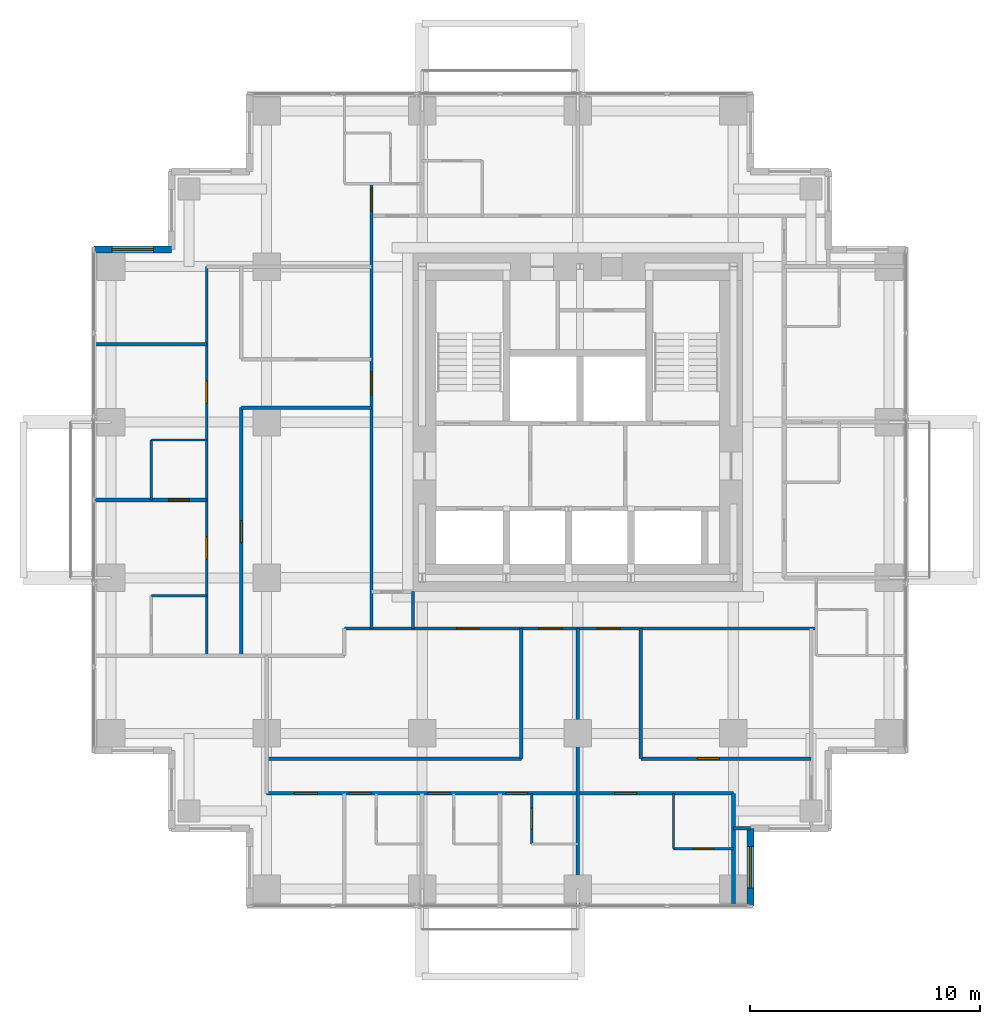
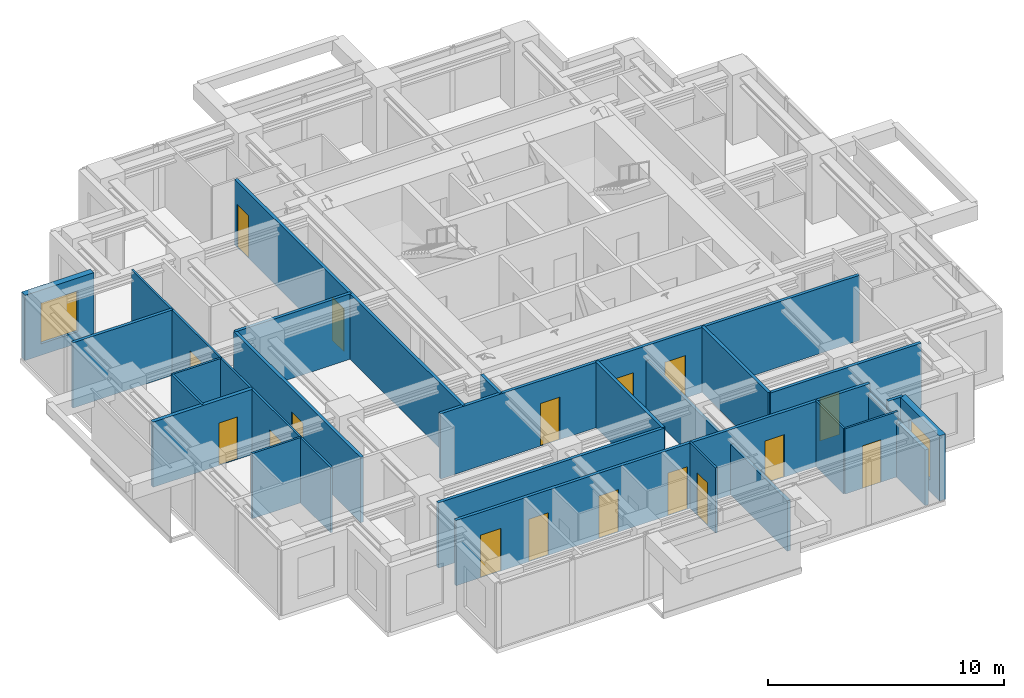
# One storey, part 6 of 10: 24 walls, 17 doors, 2 windows, 19 openings.
"""IFC4 building model written with IfcOpenShell, lengths in metres."""

from ifc_helpers import new_model, si_unit, direction, frame, frame_2d, origin, place, context, subcontext, project, spatial, rectangle, extrude, material, layer, layer_set, type_object, element, fill, save


model = new_model("IFC4")

# Units and contexts
model_context = context("Model", 3, precision=1e-05, world=origin(), true_north=direction((0.0, 1.0)))
body_context = subcontext(model_context, "Body", "Model", "MODEL_VIEW")
ifc_project = project(units=[si_unit("LENGTHUNIT", "METRE"), si_unit("AREAUNIT", "SQUARE_METRE"), si_unit("VOLUMEUNIT", "CUBIC_METRE"), si_unit("PLANEANGLEUNIT", "RADIAN"), si_unit("MASSUNIT", "GRAM", prefix="KILO")], contexts=[model_context])

# Site, building, storey
site_placement = place(None, origin())
site = spatial("IfcSite", under=ifc_project, at=site_placement, CompositionType="ELEMENT")
building_placement = place(site_placement, origin())
building = spatial("IfcBuilding", under=site, at=building_placement, Name="Nyansa Garden Tower", CompositionType="ELEMENT")
storey_placement = place(building_placement, frame((0.0, 0.0, 174.60009765625)))
storey = spatial("IfcBuildingStorey", under=building, at=storey_placement, Name="L47", CompositionType="ELEMENT", Elevation=174.60009765625)

# Wall, opening, door
ifc_material_1 = material(Name="Dense blockwork, plastered both sides, 55 dB", Category="masonry")
ifc_layer_1 = layer(ifc_material_1, 0.175048828125)
ifc_layer_set_1 = layer_set([ifc_layer_1], Name="Acoustic party wall PW175")
wall_type_1 = type_object("IfcWallType", Name="Acoustic party wall PW175", PredefinedType="PARTITIONING", material=ifc_layer_set_1)
wall_1_placement = place(storey_placement, frame((-0.73388671875, 16.875, 0.0), z_axis=(0.0, 0.0, 1.0), x_axis=(1.0, 0.0, 0.0)))
wall_1 = element("IfcWall", 1, at=wall_1_placement, inside=storey, type_object=wall_type_1, Name="Party wall", PredefinedType="PARTITIONING", context=body_context, shape_type="SweptSolid", body=[
    extrude(rectangle(XDim=4.8837890625, YDim=0.175048828125, at=frame_2d((2.44189453125, 0.0))), origin(), (0.0, 0.0, 1.0), 3.375),
])
opening_1_placement = place(wall_1_placement, frame((3.23388671875, 0.0, 0.0)))
opening_1 = element("IfcOpeningElement", 2, at=opening_1_placement, cuts=wall_1, Name="Opening D02", PredefinedType="OPENING", context=body_context, shape_type="SweptSolid", body=[
    extrude(rectangle(XDim=0.89990234375, YDim=2.199951171875, at=frame_2d((0.449951171875, 1.10009765625))), frame((0.0, 0.097412109375, 0.0), z_axis=(0.0, -1.0, 0.0), x_axis=(1.0, 0.0, 0.0)), (0.0, 0.0, 1.0), 0.195068359375),
])
ifc_material_2 = material(Name="Timber flush door", Category="wood")
door_type_1 = type_object("IfcDoorType", Name="En-suite door D02 900x2200", OperationType="SINGLE_SWING_RIGHT", PredefinedType="DOOR", material=ifc_material_2)
door_1_placement = place(opening_1_placement, origin())
door_1 = element("IfcDoor", 3, at=door_1_placement, inside=storey, type_object=door_type_1, Name="Door L47-049", OperationType="SINGLE_SWING_RIGHT", OverallHeight=2.199951171875, OverallWidth=0.89990234375, PredefinedType="DOOR", context=body_context, shape_type="SweptSolid", body=[
    extrude(rectangle(XDim=0.89990234375, YDim=2.199951171875, at=frame_2d((0.449951171875, 1.10009765625))), frame((0.0, 0.02490234375, 0.0), z_axis=(0.0, -1.0, 0.0), x_axis=(1.0, 0.0, 0.0)), (0.0, 0.0, 1.0), 0.050048828125),
])
fill(opening_1, door_1)

# Walls
wall_2_placement = place(storey_placement, frame((27.0, -0.73388671875, 0.0), z_axis=(0.0, 0.0, 1.0), x_axis=(0.0, 1.0, 0.0)))
element("IfcWall", 4, at=wall_2_placement, inside=storey, type_object=wall_type_1, Name="Party wall", PredefinedType="PARTITIONING", context=body_context, shape_type="SweptSolid", body=[
    extrude(rectangle(XDim=4.8837890625, YDim=0.175048828125, at=frame_2d((2.44189453125, 0.0))), origin(), (0.0, 0.0, 1.0), 2.876953125),
])
ifc_material_3 = material(Name="Blockwork, plastered both sides", Category="masonry")
ifc_layer_2 = layer(ifc_material_3, 0.14990234375)
ifc_layer_set_2 = layer_set([ifc_layer_2], Name="Partition PW150")
wall_type_2 = type_object("IfcWallType", Name="Partition PW150", PredefinedType="PARTITIONING", material=ifc_layer_set_2)
wall_3_placement = place(storey_placement, frame((-0.73388671875, 23.625, 0.0), z_axis=(0.0, 0.0, 1.0), x_axis=(1.0, 0.0, 0.0)))
element("IfcWall", 5, at=wall_3_placement, inside=storey, type_object=wall_type_2, Name="Partition", PredefinedType="PARTITIONING", context=body_context, shape_type="SweptSolid", body=[
    extrude(rectangle(XDim=4.8837890625, YDim=0.14990234375, at=frame_2d((2.44189453125, 0.0))), origin(), (0.0, 0.0, 1.0), 3.375),
])

# Wall, opening, door
wall_4_placement = place(storey_placement, frame((5.64990234375, 10.125, 0.0), z_axis=(0.0, 0.0, 1.0), x_axis=(0.0, 1.0, 0.0)))
wall_4 = element("IfcWall", 6, at=wall_4_placement, inside=storey, type_object=wall_type_2, Name="Partition", PredefinedType="PARTITIONING", context=body_context, shape_type="SweptSolid", body=[
    extrude(rectangle(XDim=10.762451171875, YDim=0.14990234375, at=frame_2d((5.38134765625, 0.0))), origin(), (0.0, 0.0, 1.0), 3.375),
])
opening_2_placement = place(wall_4_placement, frame((4.89990234375, 0.0, 0.0)))
opening_2 = element("IfcOpeningElement", 7, at=opening_2_placement, cuts=wall_4, Name="Opening D01", PredefinedType="OPENING", context=body_context, shape_type="SweptSolid", body=[
    extrude(rectangle(XDim=0.949951171875, YDim=2.199951171875, at=frame_2d((0.47509765625, 1.10009765625))), frame((0.0, 0.0849609375, 0.0), z_axis=(0.0, -1.0, 0.0), x_axis=(1.0, 0.0, 0.0)), (0.0, 0.0, 1.0), 0.169921875),
])
ifc_material_4 = material(Name="Timber flush door, 30 minute fire resisting", Category="wood")
door_type_2 = type_object("IfcDoorType", Name="Bedroom door D01 950x2200", OperationType="SINGLE_SWING_LEFT", PredefinedType="DOOR", material=ifc_material_4)
door_2_placement = place(opening_2_placement, origin())
door_2 = element("IfcDoor", 8, at=door_2_placement, inside=storey, type_object=door_type_2, Name="Door L47-051", OperationType="SINGLE_SWING_LEFT", OverallHeight=2.199951171875, OverallWidth=0.949951171875, PredefinedType="DOOR", context=body_context, shape_type="SweptSolid", body=[
    extrude(rectangle(XDim=0.949951171875, YDim=2.199951171875, at=frame_2d((0.47509765625, 1.10009765625))), frame((0.0, 0.02490234375, 0.0), z_axis=(0.0, -1.0, 0.0), x_axis=(1.0, 0.0, 0.0)), (0.0, 0.0, 1.0), 0.050048828125),
])
fill(opening_2, door_2)

# Wall
wall_5_placement = place(storey_placement, frame((5.64990234375, 20.886962890625, 0.0), z_axis=(0.0, 0.0, 1.0), x_axis=(1.0, 0.0, 0.0)))
element("IfcWall", 9, at=wall_5_placement, inside=storey, type_object=wall_type_2, Name="Partition", PredefinedType="PARTITIONING", context=body_context, shape_type="SweptSolid", body=[
    extrude(rectangle(XDim=5.650146484375, YDim=0.14990234375, at=frame_2d((2.8251953125, 0.0))), origin(), (0.0, 0.0, 1.0), 3.375),
])

# Wall, openings, doors
wall_6_placement = place(storey_placement, frame((6.75, 4.14990234375, 0.0), z_axis=(0.0, 0.0, 1.0), x_axis=(1.0, 0.0, 0.0)))
wall_6 = element("IfcWall", 10, at=wall_6_placement, inside=storey, type_object=wall_type_2, Name="Partition", PredefinedType="PARTITIONING", context=body_context, shape_type="SweptSolid", body=[
    extrude(rectangle(XDim=20.25, YDim=0.14990234375, at=frame_2d((10.125, 0.0))), origin(), (0.0, 0.0, 1.0), 3.375),
])
opening_3_placement = place(wall_6_placement, frame((1.199951171875, 0.0, 0.0)))
opening_3 = element("IfcOpeningElement", 11, at=opening_3_placement, cuts=wall_6, Name="Opening D03", PredefinedType="OPENING", context=body_context, shape_type="SweptSolid", body=[
    extrude(rectangle(XDim=1.0, YDim=2.199951171875, at=frame_2d((0.5, 1.10009765625))), frame((0.0, 0.0849609375, 0.0), z_axis=(0.0, -1.0, 0.0), x_axis=(1.0, 0.0, 0.0)), (0.0, 0.0, 1.0), 0.169921875),
])
opening_4_placement = place(wall_6_placement, frame((3.574951171875, 0.0, 0.0)))
opening_4 = element("IfcOpeningElement", 12, at=opening_4_placement, cuts=wall_6, Name="Opening D01", PredefinedType="OPENING", context=body_context, shape_type="SweptSolid", body=[
    extrude(rectangle(XDim=0.949951171875, YDim=2.199951171875, at=frame_2d((0.47509765625, 1.10009765625))), frame((0.0, 0.0849609375, 0.0), z_axis=(0.0, -1.0, 0.0), x_axis=(1.0, 0.0, 0.0)), (0.0, 0.0, 1.0), 0.169921875),
])
opening_5_placement = place(wall_6_placement, frame((7.0, 0.0, 0.0)))
opening_5 = element("IfcOpeningElement", 13, at=opening_5_placement, cuts=wall_6, Name="Opening D01", PredefinedType="OPENING", context=body_context, shape_type="SweptSolid", body=[
    extrude(rectangle(XDim=0.949951171875, YDim=2.199951171875, at=frame_2d((0.47509765625, 1.10009765625))), frame((0.0, 0.0849609375, 0.0), z_axis=(0.0, -1.0, 0.0), x_axis=(1.0, 0.0, 0.0)), (0.0, 0.0, 1.0), 0.169921875),
])
opening_6_placement = place(wall_6_placement, frame((10.375, 0.0, 0.0)))
opening_6 = element("IfcOpeningElement", 14, at=opening_6_placement, cuts=wall_6, Name="Opening D01", PredefinedType="OPENING", context=body_context, shape_type="SweptSolid", body=[
    extrude(rectangle(XDim=0.949951171875, YDim=2.199951171875, at=frame_2d((0.47509765625, 1.10009765625))), frame((0.0, 0.0849609375, 0.0), z_axis=(0.0, -1.0, 0.0), x_axis=(1.0, 0.0, 0.0)), (0.0, 0.0, 1.0), 0.169921875),
])
opening_7_placement = place(wall_6_placement, frame((15.10009765625, 0.0, 0.0)))
opening_7 = element("IfcOpeningElement", 15, at=opening_7_placement, cuts=wall_6, Name="Opening D14", PredefinedType="OPENING", context=body_context, shape_type="SweptSolid", body=[
    extrude(rectangle(XDim=0.949951171875, YDim=2.199951171875, at=frame_2d((0.47509765625, 1.10009765625))), frame((0.0, 0.0849609375, 0.0), z_axis=(0.0, -1.0, 0.0), x_axis=(1.0, 0.0, 0.0)), (0.0, 0.0, 1.0), 0.169921875),
])
door_3_placement = place(opening_4_placement, origin())
door_3 = element("IfcDoor", 16, at=door_3_placement, inside=storey, type_object=door_type_2, Name="Door L47-019", OperationType="SINGLE_SWING_LEFT", OverallHeight=2.199951171875, OverallWidth=0.949951171875, PredefinedType="DOOR", context=body_context, shape_type="SweptSolid", body=[
    extrude(rectangle(XDim=0.949951171875, YDim=2.199951171875, at=frame_2d((0.47509765625, 1.10009765625))), frame((0.0, 0.02490234375, 0.0), z_axis=(0.0, -1.0, 0.0), x_axis=(1.0, 0.0, 0.0)), (0.0, 0.0, 1.0), 0.050048828125),
])
fill(opening_4, door_3)
door_4_placement = place(opening_5_placement, origin())
door_4 = element("IfcDoor", 17, at=door_4_placement, inside=storey, type_object=door_type_2, Name="Door L47-021", OperationType="SINGLE_SWING_LEFT", OverallHeight=2.199951171875, OverallWidth=0.949951171875, PredefinedType="DOOR", context=body_context, shape_type="SweptSolid", body=[
    extrude(rectangle(XDim=0.949951171875, YDim=2.199951171875, at=frame_2d((0.47509765625, 1.10009765625))), frame((0.0, 0.02490234375, 0.0), z_axis=(0.0, -1.0, 0.0), x_axis=(1.0, 0.0, 0.0)), (0.0, 0.0, 1.0), 0.050048828125),
])
fill(opening_5, door_4)
door_5_placement = place(opening_6_placement, origin())
door_5 = element("IfcDoor", 18, at=door_5_placement, inside=storey, type_object=door_type_2, Name="Door L47-023", OperationType="SINGLE_SWING_LEFT", OverallHeight=2.199951171875, OverallWidth=0.949951171875, PredefinedType="DOOR", context=body_context, shape_type="SweptSolid", body=[
    extrude(rectangle(XDim=0.949951171875, YDim=2.199951171875, at=frame_2d((0.47509765625, 1.10009765625))), frame((0.0, 0.02490234375, 0.0), z_axis=(0.0, -1.0, 0.0), x_axis=(1.0, 0.0, 0.0)), (0.0, 0.0, 1.0), 0.050048828125),
])
fill(opening_6, door_5)
ifc_material_5 = material(Name="Timber flush door, 60 minute fire resisting", Category="wood")
door_type_3 = type_object("IfcDoorType", Name="Cluster entrance door D03 1000x2200", OperationType="SINGLE_SWING_LEFT", PredefinedType="DOOR", material=ifc_material_5)
door_6_placement = place(opening_3_placement, origin())
door_6 = element("IfcDoor", 19, at=door_6_placement, inside=storey, type_object=door_type_3, Name="Door L47-018", OperationType="SINGLE_SWING_LEFT", OverallHeight=2.199951171875, OverallWidth=1.0, PredefinedType="DOOR", context=body_context, shape_type="SweptSolid", body=[
    extrude(rectangle(XDim=1.0, YDim=2.199951171875, at=frame_2d((0.5, 1.10009765625))), frame((0.0, 0.02490234375, 0.0), z_axis=(0.0, -1.0, 0.0), x_axis=(1.0, 0.0, 0.0)), (0.0, 0.0, 1.0), 0.050048828125),
])
fill(opening_3, door_6)
ifc_material_6 = material(Name="Timber flush door, 60 minute fire resisting, self-closing", Category="wood")
door_type_4 = type_object("IfcDoorType", Name="Studio entrance door D14 950x2200", OperationType="SINGLE_SWING_LEFT", PredefinedType="DOOR", material=ifc_material_6)
door_7_placement = place(opening_7_placement, origin())
door_7 = element("IfcDoor", 20, at=door_7_placement, inside=storey, type_object=door_type_4, Name="Door L47-026", OperationType="SINGLE_SWING_LEFT", OverallHeight=2.199951171875, OverallWidth=0.949951171875, PredefinedType="DOOR", context=body_context, shape_type="SweptSolid", body=[
    extrude(rectangle(XDim=0.949951171875, YDim=2.199951171875, at=frame_2d((0.47509765625, 1.10009765625))), frame((0.0, 0.02490234375, 0.0), z_axis=(0.0, -1.0, 0.0), x_axis=(1.0, 0.0, 0.0)), (0.0, 0.0, 1.0), 0.050048828125),
])
fill(opening_7, door_7)

# Wall
wall_7_placement = place(storey_placement, frame((6.75, 5.64990234375, 0.0), z_axis=(0.0, 0.0, 1.0), x_axis=(1.0, 0.0, 0.0)))
element("IfcWall", 21, at=wall_7_placement, inside=storey, type_object=wall_type_2, Name="Partition", PredefinedType="PARTITIONING", context=body_context, shape_type="SweptSolid", body=[
    extrude(rectangle(XDim=11.050048828125, YDim=0.14990234375, at=frame_2d((5.52490234375, 0.0))), origin(), (0.0, 0.0, 1.0), 3.375),
])

# Wall, openings, doors
wall_8_placement = place(storey_placement, frame((10.125, 11.300048828125, 0.0), z_axis=(0.0, 0.0, 1.0), x_axis=(1.0, 0.0, 0.0)))
wall_8 = element("IfcWall", 22, at=wall_8_placement, inside=storey, type_object=wall_type_2, Name="Partition", PredefinedType="PARTITIONING", context=body_context, shape_type="SweptSolid", body=[
    extrude(rectangle(XDim=20.47509765625, YDim=0.14990234375, at=frame_2d((10.237548828125, 0.0))), origin(), (0.0, 0.0, 1.0), 3.375),
])
opening_8_placement = place(wall_8_placement, frame((8.425048828125, 0.0, 0.0)))
opening_8 = element("IfcOpeningElement", 23, at=opening_8_placement, cuts=wall_8, Name="Opening D03", PredefinedType="OPENING", context=body_context, shape_type="SweptSolid", body=[
    extrude(rectangle(XDim=1.0, YDim=2.199951171875, at=frame_2d((0.5, 1.10009765625))), frame((0.0, 0.0849609375, 0.0), z_axis=(0.0, -1.0, 0.0), x_axis=(1.0, 0.0, 0.0)), (0.0, 0.0, 1.0), 0.169921875),
])
opening_9_placement = place(wall_8_placement, frame((10.97509765625, 0.0, 0.0)))
opening_9 = element("IfcOpeningElement", 24, at=opening_9_placement, cuts=wall_8, Name="Opening D03", PredefinedType="OPENING", context=body_context, shape_type="SweptSolid", body=[
    extrude(rectangle(XDim=1.0, YDim=2.199951171875, at=frame_2d((0.5, 1.10009765625))), frame((0.0, 0.0849609375, 0.0), z_axis=(0.0, -1.0, 0.0), x_axis=(1.0, 0.0, 0.0)), (0.0, 0.0, 1.0), 0.169921875),
])
opening_10_placement = place(wall_8_placement, frame((4.875, 0.0, 0.0)))
opening_10 = element("IfcOpeningElement", 25, at=opening_10_placement, cuts=wall_8, Name="Opening D01", PredefinedType="OPENING", context=body_context, shape_type="SweptSolid", body=[
    extrude(rectangle(XDim=0.949951171875, YDim=2.199951171875, at=frame_2d((0.47509765625, 1.10009765625))), frame((0.0, 0.0849609375, 0.0), z_axis=(0.0, -1.0, 0.0), x_axis=(1.0, 0.0, 0.0)), (0.0, 0.0, 1.0), 0.169921875),
])
door_8_placement = place(opening_10_placement, origin())
door_8 = element("IfcDoor", 26, at=door_8_placement, inside=storey, type_object=door_type_2, Name="Door L47-029", OperationType="SINGLE_SWING_LEFT", OverallHeight=2.199951171875, OverallWidth=0.949951171875, PredefinedType="DOOR", context=body_context, shape_type="SweptSolid", body=[
    extrude(rectangle(XDim=0.949951171875, YDim=2.199951171875, at=frame_2d((0.47509765625, 1.10009765625))), frame((0.0, 0.02490234375, 0.0), z_axis=(0.0, -1.0, 0.0), x_axis=(1.0, 0.0, 0.0)), (0.0, 0.0, 1.0), 0.050048828125),
])
fill(opening_10, door_8)
door_9_placement = place(opening_8_placement, origin())
door_9 = element("IfcDoor", 27, at=door_9_placement, inside=storey, type_object=door_type_3, Name="Door L47-025", OperationType="SINGLE_SWING_LEFT", OverallHeight=2.199951171875, OverallWidth=1.0, PredefinedType="DOOR", context=body_context, shape_type="SweptSolid", body=[
    extrude(rectangle(XDim=1.0, YDim=2.199951171875, at=frame_2d((0.5, 1.10009765625))), frame((0.0, 0.02490234375, 0.0), z_axis=(0.0, -1.0, 0.0), x_axis=(1.0, 0.0, 0.0)), (0.0, 0.0, 1.0), 0.050048828125),
])
fill(opening_8, door_9)
door_10_placement = place(opening_9_placement, origin())
door_10 = element("IfcDoor", 28, at=door_10_placement, inside=storey, type_object=door_type_3, Name="Door L47-028", OperationType="SINGLE_SWING_LEFT", OverallHeight=2.199951171875, OverallWidth=1.0, PredefinedType="DOOR", context=body_context, shape_type="SweptSolid", body=[
    extrude(rectangle(XDim=1.0, YDim=2.199951171875, at=frame_2d((0.5, 1.10009765625))), frame((0.0, 0.02490234375, 0.0), z_axis=(0.0, -1.0, 0.0), x_axis=(1.0, 0.0, 0.0)), (0.0, 0.0, 1.0), 0.050048828125),
])
fill(opening_9, door_10)

wall_9_placement = place(storey_placement, frame((11.300048828125, 11.300048828125, 0.0), z_axis=(0.0, 0.0, 1.0), x_axis=(0.0, 1.0, 0.0)))
wall_9 = element("IfcWall", 29, at=wall_9_placement, inside=storey, type_object=wall_type_2, Name="Partition", PredefinedType="PARTITIONING", context=body_context, shape_type="SweptSolid", body=[
    extrude(rectangle(XDim=19.300048828125, YDim=0.14990234375, at=frame_2d((9.64990234375, 0.0))), origin(), (0.0, 0.0, 1.0), 3.375),
])
opening_11_placement = place(wall_9_placement, frame((18.10009765625, 0.0, 0.0)))
opening_11 = element("IfcOpeningElement", 30, at=opening_11_placement, cuts=wall_9, Name="Opening D03", PredefinedType="OPENING", context=body_context, shape_type="SweptSolid", body=[
    extrude(rectangle(XDim=1.0, YDim=2.199951171875, at=frame_2d((0.5, 1.10009765625))), frame((0.0, 0.0849609375, 0.0), z_axis=(0.0, -1.0, 0.0), x_axis=(1.0, 0.0, 0.0)), (0.0, 0.0, 1.0), 0.169921875),
])
opening_12_placement = place(wall_9_placement, frame((10.137451171875, 0.0, 0.0)))
opening_12 = element("IfcOpeningElement", 31, at=opening_12_placement, cuts=wall_9, Name="Opening D03", PredefinedType="OPENING", context=body_context, shape_type="SweptSolid", body=[
    extrude(rectangle(XDim=1.0, YDim=2.199951171875, at=frame_2d((0.5, 1.10009765625))), frame((0.0, 0.0849609375, 0.0), z_axis=(0.0, -1.0, 0.0), x_axis=(1.0, 0.0, 0.0)), (0.0, 0.0, 1.0), 0.169921875),
])
door_11_placement = place(opening_11_placement, origin())
door_11 = element("IfcDoor", 32, at=door_11_placement, inside=storey, type_object=door_type_3, Name="Door L47-045", OperationType="SINGLE_SWING_LEFT", OverallHeight=2.199951171875, OverallWidth=1.0, PredefinedType="DOOR", context=body_context, shape_type="SweptSolid", body=[
    extrude(rectangle(XDim=1.0, YDim=2.199951171875, at=frame_2d((0.5, 1.10009765625))), frame((0.0, 0.02490234375, 0.0), z_axis=(0.0, -1.0, 0.0), x_axis=(1.0, 0.0, 0.0)), (0.0, 0.0, 1.0), 0.050048828125),
])
fill(opening_11, door_11)
door_12_placement = place(opening_12_placement, origin())
door_12 = element("IfcDoor", 33, at=door_12_placement, inside=storey, type_object=door_type_3, Name="Door L47-050", OperationType="SINGLE_SWING_LEFT", OverallHeight=2.199951171875, OverallWidth=1.0, PredefinedType="DOOR", context=body_context, shape_type="SweptSolid", body=[
    extrude(rectangle(XDim=1.0, YDim=2.199951171875, at=frame_2d((0.5, 1.10009765625))), frame((0.0, 0.02490234375, 0.0), z_axis=(0.0, -1.0, 0.0), x_axis=(1.0, 0.0, 0.0)), (0.0, 0.0, 1.0), 0.050048828125),
])
fill(opening_12, door_12)

# Walls
wall_10_placement = place(storey_placement, frame((13.10009765625, 11.300048828125, 0.0), z_axis=(0.0, 0.0, 1.0), x_axis=(0.0, 1.0, 0.0)))
element("IfcWall", 34, at=wall_10_placement, inside=storey, type_object=wall_type_2, Name="Partition", PredefinedType="PARTITIONING", context=body_context, shape_type="SweptSolid", body=[
    extrude(rectangle(XDim=1.599853515625, YDim=0.14990234375, at=frame_2d((0.7998046875, 0.0))), origin(), (0.0, 0.0, 1.0), 3.375),
])
wall_11_placement = place(storey_placement, frame((17.800048828125, 5.64990234375, 0.0), z_axis=(0.0, 0.0, 1.0), x_axis=(0.0, 1.0, 0.0)))
element("IfcWall", 35, at=wall_11_placement, inside=storey, type_object=wall_type_2, Name="Partition", PredefinedType="PARTITIONING", context=body_context, shape_type="SweptSolid", body=[
    extrude(rectangle(XDim=5.650146484375, YDim=0.14990234375, at=frame_2d((2.8251953125, 0.0))), origin(), (0.0, 0.0, 1.0), 3.375),
])
wall_12_placement = place(storey_placement, frame((20.25, -0.73388671875, 0.0), z_axis=(0.0, 0.0, 1.0), x_axis=(0.0, 1.0, 0.0)))
element("IfcWall", 36, at=wall_12_placement, inside=storey, type_object=wall_type_2, Name="Partition", PredefinedType="PARTITIONING", context=body_context, shape_type="SweptSolid", body=[
    extrude(rectangle(XDim=12.033935546875, YDim=0.14990234375, at=frame_2d((6.01708984375, 0.0))), origin(), (0.0, 0.0, 1.0), 2.60986328125),
])

# Wall, opening, door
wall_13_placement = place(storey_placement, frame((22.987548828125, 5.64990234375, 0.0), z_axis=(0.0, 0.0, 1.0), x_axis=(1.0, 0.0, 0.0)))
wall_13 = element("IfcWall", 37, at=wall_13_placement, inside=storey, type_object=wall_type_2, Name="Partition", PredefinedType="PARTITIONING", context=body_context, shape_type="SweptSolid", body=[
    extrude(rectangle(XDim=7.387451171875, YDim=0.14990234375, at=frame_2d((3.69384765625, 0.0))), origin(), (0.0, 0.0, 1.0), 3.375),
])
opening_13_placement = place(wall_13_placement, frame((2.449951171875, 0.0, 0.0)))
opening_13 = element("IfcOpeningElement", 38, at=opening_13_placement, cuts=wall_13, Name="Opening D01", PredefinedType="OPENING", context=body_context, shape_type="SweptSolid", body=[
    extrude(rectangle(XDim=0.949951171875, YDim=2.199951171875, at=frame_2d((0.47509765625, 1.10009765625))), frame((0.0, 0.0849609375, 0.0), z_axis=(0.0, -1.0, 0.0), x_axis=(1.0, 0.0, 0.0)), (0.0, 0.0, 1.0), 0.169921875),
])
door_13_placement = place(opening_13_placement, origin())
door_13 = element("IfcDoor", 39, at=door_13_placement, inside=storey, type_object=door_type_2, Name="Door L47-030", OperationType="SINGLE_SWING_LEFT", OverallHeight=2.199951171875, OverallWidth=0.949951171875, PredefinedType="DOOR", context=body_context, shape_type="SweptSolid", body=[
    extrude(rectangle(XDim=0.949951171875, YDim=2.199951171875, at=frame_2d((0.47509765625, 1.10009765625))), frame((0.0, 0.02490234375, 0.0), z_axis=(0.0, -1.0, 0.0), x_axis=(1.0, 0.0, 0.0)), (0.0, 0.0, 1.0), 0.050048828125),
])
fill(opening_13, door_13)

# Walls
wall_14_placement = place(storey_placement, frame((22.988037109375, 5.64990234375, 0.0), z_axis=(0.0, 0.0, 1.0), x_axis=(0.0, 1.0, 0.0)))
element("IfcWall", 40, at=wall_14_placement, inside=storey, type_object=wall_type_2, Name="Partition", PredefinedType="PARTITIONING", context=body_context, shape_type="SweptSolid", body=[
    extrude(rectangle(XDim=5.650146484375, YDim=0.14990234375, at=frame_2d((2.8251953125, 0.0))), origin(), (0.0, 0.0, 1.0), 3.375),
])
wall_15_placement = place(storey_placement, frame((27.0, 2.625, 0.0), z_axis=(0.0, 0.0, 1.0), x_axis=(1.0, 0.0, 0.0)))
element("IfcWall", 41, at=wall_15_placement, inside=storey, type_object=wall_type_2, Name="Partition", PredefinedType="PARTITIONING", context=body_context, shape_type="SweptSolid", body=[
    extrude(rectangle(XDim=0.73388671875, YDim=0.14990234375, at=frame_2d((0.366943359375, 0.0))), origin(), (0.0, 0.0, 1.0), 3.375),
])

# Wall, opening, window
ifc_material_7 = material(Name="Turquoise glazed tile on concrete blockwork", Category="masonry")
ifc_layer_3 = layer(ifc_material_7, 0.300048828125)
ifc_layer_set_3 = layer_set([ifc_layer_3], Name="Tiled corner wall TW300")
wall_type_3 = type_object("IfcWallType", Name="Tiled corner wall TW300", PredefinedType="SOLIDWALL", material=ifc_layer_set_3)
wall_16_placement = place(storey_placement, frame((2.625, 27.75, 0.0), z_axis=(0.0, 0.0, 1.0), x_axis=(-1.0, 0.0, 0.0)))
wall_16 = element("IfcWall", 42, at=wall_16_placement, inside=storey, type_object=wall_type_3, Name="Tiled corner wall L47", PredefinedType="SOLIDWALL", context=body_context, shape_type="SweptSolid", body=[
    extrude(rectangle(XDim=3.375, YDim=0.300048828125, at=frame_2d((1.6875, 0.0))), origin(), (0.0, 0.0, 1.0), 3.375),
])
opening_14_placement = place(wall_16_placement, frame((0.78759765625, 0.0, 0.60009765625)))
opening_14 = element("IfcOpeningElement", 43, at=opening_14_placement, cuts=wall_16, Name="Opening W2", PredefinedType="OPENING", context=body_context, shape_type="SweptSolid", body=[
    extrude(rectangle(XDim=1.800048828125, YDim=2.10009765625, at=frame_2d((0.89990234375, 1.050048828125))), frame((0.0, 0.159912109375, 0.0), z_axis=(0.0, -1.0, 0.0), x_axis=(1.0, 0.0, 0.0)), (0.0, 0.0, 1.0), 0.320068359375),
])
ifc_material_8 = material(Name="Black aluminium frame, dark tinted double glazing", Category="aluminium")
window_type = type_object("IfcWindowType", Name="Window W2 1800x2100", PartitioningType="SINGLE_PANEL", PredefinedType="WINDOW", material=ifc_material_8)
window_1_placement = place(opening_14_placement, origin())
window_1 = element("IfcWindow", 44, at=window_1_placement, inside=storey, type_object=window_type, Name="Corner window L47", OverallHeight=2.10009765625, OverallWidth=1.800048828125, PartitioningType="SINGLE_PANEL", PredefinedType="WINDOW", context=body_context, shape_type="SweptSolid", body=[
    extrude(rectangle(XDim=1.800048828125, YDim=2.10009765625, at=frame_2d((0.89990234375, 1.050048828125))), frame((0.0, 0.030029296875, 0.0), z_axis=(0.0, -1.0, 0.0), x_axis=(1.0, 0.0, 0.0)), (0.0, 0.0, 1.0), 0.06005859375),
])
fill(opening_14, window_1)

wall_17_placement = place(storey_placement, frame((27.75, -0.75, 0.0), z_axis=(0.0, 0.0, 1.0), x_axis=(0.0, 1.0, 0.0)))
wall_17 = element("IfcWall", 45, at=wall_17_placement, inside=storey, type_object=wall_type_3, Name="Tiled corner wall L47", PredefinedType="SOLIDWALL", context=body_context, shape_type="SweptSolid", body=[
    extrude(rectangle(XDim=3.375, YDim=0.300048828125, at=frame_2d((1.6875, 0.0))), origin(), (0.0, 0.0, 1.0), 3.375),
])
opening_15_placement = place(wall_17_placement, frame((0.78759765625, 0.0, 0.60009765625)))
opening_15 = element("IfcOpeningElement", 46, at=opening_15_placement, cuts=wall_17, Name="Opening W2", PredefinedType="OPENING", context=body_context, shape_type="SweptSolid", body=[
    extrude(rectangle(XDim=1.800048828125, YDim=2.10009765625, at=frame_2d((0.89990234375, 1.050048828125))), frame((0.0, 0.159912109375, 0.0), z_axis=(0.0, -1.0, 0.0), x_axis=(1.0, 0.0, 0.0)), (0.0, 0.0, 1.0), 0.320068359375),
])
window_2_placement = place(opening_15_placement, origin())
window_2 = element("IfcWindow", 47, at=window_2_placement, inside=storey, type_object=window_type, Name="Corner window L47", OverallHeight=2.10009765625, OverallWidth=1.800048828125, PartitioningType="SINGLE_PANEL", PredefinedType="WINDOW", context=body_context, shape_type="SweptSolid", body=[
    extrude(rectangle(XDim=1.800048828125, YDim=2.10009765625, at=frame_2d((0.89990234375, 1.050048828125))), frame((0.0, 0.030029296875, 0.0), z_axis=(0.0, -1.0, 0.0), x_axis=(1.0, 0.0, 0.0)), (0.0, 0.0, 1.0), 0.06005859375),
])
fill(opening_15, window_2)

# Walls
ifc_material_9 = material(Name="Moisture resistant board on steel studs, tiled", Category="steel")
ifc_layer_4 = layer(ifc_material_9, 0.10009765625)
ifc_layer_set_4 = layer_set([ifc_layer_4], Name="Wet wall PW100")
wall_type_4 = type_object("IfcWallType", Name="Wet wall PW100", PredefinedType="PARTITIONING", material=ifc_layer_set_4)
wall_18_placement = place(storey_placement, frame((1.75, 12.72509765625, 0.0), z_axis=(0.0, 0.0, 1.0), x_axis=(1.0, 0.0, 0.0)))
element("IfcWall", 48, at=wall_18_placement, inside=storey, type_object=wall_type_4, Name="Wet wall", PredefinedType="PARTITIONING", context=body_context, shape_type="SweptSolid", body=[
    extrude(rectangle(XDim=2.39990234375, YDim=0.10009765625, at=frame_2d((1.199951171875, 0.0))), origin(), (0.0, 0.0, 1.0), 3.375),
])
wall_19_placement = place(storey_placement, frame((1.75, 16.875, 0.0), z_axis=(0.0, 0.0, 1.0), x_axis=(0.0, 1.0, 0.0)))
element("IfcWall", 49, at=wall_19_placement, inside=storey, type_object=wall_type_4, Name="Wet wall", PredefinedType="PARTITIONING", context=body_context, shape_type="SweptSolid", body=[
    extrude(rectangle(XDim=2.60009765625, YDim=0.10009765625, at=frame_2d((1.300048828125, 0.0))), origin(), (0.0, 0.0, 1.0), 3.375),
])
wall_20_placement = place(storey_placement, frame((1.75, 19.47509765625, 0.0), z_axis=(0.0, 0.0, 1.0), x_axis=(1.0, 0.0, 0.0)))
element("IfcWall", 50, at=wall_20_placement, inside=storey, type_object=wall_type_4, Name="Wet wall", PredefinedType="PARTITIONING", context=body_context, shape_type="SweptSolid", body=[
    extrude(rectangle(XDim=2.39990234375, YDim=0.10009765625, at=frame_2d((1.199951171875, 0.0))), origin(), (0.0, 0.0, 1.0), 3.375),
])

# Wall, openings, doors
wall_21_placement = place(storey_placement, frame((4.14990234375, 10.125, 0.0), z_axis=(0.0, 0.0, 1.0), x_axis=(0.0, 1.0, 0.0)))
wall_21 = element("IfcWall", 51, at=wall_21_placement, inside=storey, type_object=wall_type_4, Name="Wet wall", PredefinedType="PARTITIONING", context=body_context, shape_type="SweptSolid", body=[
    extrude(rectangle(XDim=16.875, YDim=0.10009765625, at=frame_2d((8.4375, 0.0))), origin(), (0.0, 0.0, 1.0), 3.375),
])
opening_16_placement = place(wall_21_placement, frame((4.199951171875, 0.0, 0.0)))
opening_16 = element("IfcOpeningElement", 52, at=opening_16_placement, cuts=wall_21, Name="Opening D14", PredefinedType="OPENING", context=body_context, shape_type="SweptSolid", body=[
    extrude(rectangle(XDim=0.949951171875, YDim=2.199951171875, at=frame_2d((0.47509765625, 1.10009765625))), frame((0.0, 0.06005859375, 0.0), z_axis=(0.0, -1.0, 0.0), x_axis=(1.0, 0.0, 0.0)), (0.0, 0.0, 1.0), 0.1201171875),
])
opening_17_placement = place(wall_21_placement, frame((10.949951171875, 0.0, 0.0)))
opening_17 = element("IfcOpeningElement", 53, at=opening_17_placement, cuts=wall_21, Name="Opening D14", PredefinedType="OPENING", context=body_context, shape_type="SweptSolid", body=[
    extrude(rectangle(XDim=0.949951171875, YDim=2.199951171875, at=frame_2d((0.47509765625, 1.10009765625))), frame((0.0, 0.06005859375, 0.0), z_axis=(0.0, -1.0, 0.0), x_axis=(1.0, 0.0, 0.0)), (0.0, 0.0, 1.0), 0.1201171875),
])
door_14_placement = place(opening_16_placement, origin())
door_14 = element("IfcDoor", 54, at=door_14_placement, inside=storey, type_object=door_type_4, Name="Door L47-046", OperationType="SINGLE_SWING_LEFT", OverallHeight=2.199951171875, OverallWidth=0.949951171875, PredefinedType="DOOR", context=body_context, shape_type="SweptSolid", body=[
    extrude(rectangle(XDim=0.949951171875, YDim=2.199951171875, at=frame_2d((0.47509765625, 1.10009765625))), frame((0.0, 0.02490234375, 0.0), z_axis=(0.0, -1.0, 0.0), x_axis=(1.0, 0.0, 0.0)), (0.0, 0.0, 1.0), 0.050048828125),
])
fill(opening_16, door_14)
door_15_placement = place(opening_17_placement, origin())
door_15 = element("IfcDoor", 55, at=door_15_placement, inside=storey, type_object=door_type_4, Name="Door L47-048", OperationType="SINGLE_SWING_LEFT", OverallHeight=2.199951171875, OverallWidth=0.949951171875, PredefinedType="DOOR", context=body_context, shape_type="SweptSolid", body=[
    extrude(rectangle(XDim=0.949951171875, YDim=2.199951171875, at=frame_2d((0.47509765625, 1.10009765625))), frame((0.0, 0.02490234375, 0.0), z_axis=(0.0, -1.0, 0.0), x_axis=(1.0, 0.0, 0.0)), (0.0, 0.0, 1.0), 0.050048828125),
])
fill(opening_17, door_15)

# Wall, opening, door
wall_22_placement = place(storey_placement, frame((18.25, 1.949951171875, 0.0), z_axis=(0.0, 0.0, 1.0), x_axis=(0.0, 1.0, 0.0)))
wall_22 = element("IfcWall", 56, at=wall_22_placement, inside=storey, type_object=wall_type_4, Name="Wet wall", PredefinedType="PARTITIONING", context=body_context, shape_type="SweptSolid", body=[
    extrude(rectangle(XDim=2.199951171875, YDim=0.10009765625, at=frame_2d((1.10009765625, 0.0))), origin(), (0.0, 0.0, 1.0), 3.375),
])
opening_18_placement = place(wall_22_placement, frame((0.64990234375, 0.0, 0.0)))
opening_18 = element("IfcOpeningElement", 57, at=opening_18_placement, cuts=wall_22, Name="Opening D02", PredefinedType="OPENING", context=body_context, shape_type="SweptSolid", body=[
    extrude(rectangle(XDim=0.89990234375, YDim=2.199951171875, at=frame_2d((0.449951171875, 1.10009765625))), frame((0.0, 0.06005859375, 0.0), z_axis=(0.0, -1.0, 0.0), x_axis=(1.0, 0.0, 0.0)), (0.0, 0.0, 1.0), 0.1201171875),
])
door_16_placement = place(opening_18_placement, origin())
door_16 = element("IfcDoor", 58, at=door_16_placement, inside=storey, type_object=door_type_1, Name="Door L47-024", OperationType="SINGLE_SWING_RIGHT", OverallHeight=2.199951171875, OverallWidth=0.89990234375, PredefinedType="DOOR", context=body_context, shape_type="SweptSolid", body=[
    extrude(rectangle(XDim=0.89990234375, YDim=2.199951171875, at=frame_2d((0.449951171875, 1.10009765625))), frame((0.0, 0.02490234375, 0.0), z_axis=(0.0, -1.0, 0.0), x_axis=(1.0, 0.0, 0.0)), (0.0, 0.0, 1.0), 0.050048828125),
])
fill(opening_18, door_16)

# Wall
wall_23_placement = place(storey_placement, frame((24.39990234375, 1.75, 0.0), z_axis=(0.0, 0.0, 1.0), x_axis=(0.0, 1.0, 0.0)))
element("IfcWall", 59, at=wall_23_placement, inside=storey, type_object=wall_type_4, Name="Wet wall", PredefinedType="PARTITIONING", context=body_context, shape_type="SweptSolid", body=[
    extrude(rectangle(XDim=2.39990234375, YDim=0.10009765625, at=frame_2d((1.199951171875, 0.0))), origin(), (0.0, 0.0, 1.0), 3.375),
])

# Wall, opening, door
wall_24_placement = place(storey_placement, frame((24.39990234375, 1.75, 0.0), z_axis=(0.0, 0.0, 1.0), x_axis=(1.0, 0.0, 0.0)))
wall_24 = element("IfcWall", 60, at=wall_24_placement, inside=storey, type_object=wall_type_4, Name="Wet wall", PredefinedType="PARTITIONING", context=body_context, shape_type="SweptSolid", body=[
    extrude(rectangle(XDim=2.60009765625, YDim=0.10009765625, at=frame_2d((1.300048828125, 0.0))), origin(), (0.0, 0.0, 1.0), 3.375),
])
opening_19_placement = place(wall_24_placement, frame((0.85009765625, 0.0, 0.0)))
opening_19 = element("IfcOpeningElement", 61, at=opening_19_placement, cuts=wall_24, Name="Opening D02", PredefinedType="OPENING", context=body_context, shape_type="SweptSolid", body=[
    extrude(rectangle(XDim=0.89990234375, YDim=2.199951171875, at=frame_2d((0.449951171875, 1.10009765625))), frame((0.0, 0.06005859375, 0.0), z_axis=(0.0, -1.0, 0.0), x_axis=(1.0, 0.0, 0.0)), (0.0, 0.0, 1.0), 0.1201171875),
])
door_17_placement = place(opening_19_placement, origin())
door_17 = element("IfcDoor", 62, at=door_17_placement, inside=storey, type_object=door_type_1, Name="Door L47-027", OperationType="SINGLE_SWING_RIGHT", OverallHeight=2.199951171875, OverallWidth=0.89990234375, PredefinedType="DOOR", context=body_context, shape_type="SweptSolid", body=[
    extrude(rectangle(XDim=0.89990234375, YDim=2.199951171875, at=frame_2d((0.449951171875, 1.10009765625))), frame((0.0, 0.02490234375, 0.0), z_axis=(0.0, -1.0, 0.0), x_axis=(1.0, 0.0, 0.0)), (0.0, 0.0, 1.0), 0.050048828125),
])
fill(opening_19, door_17)

save(model, "model.ifc")
